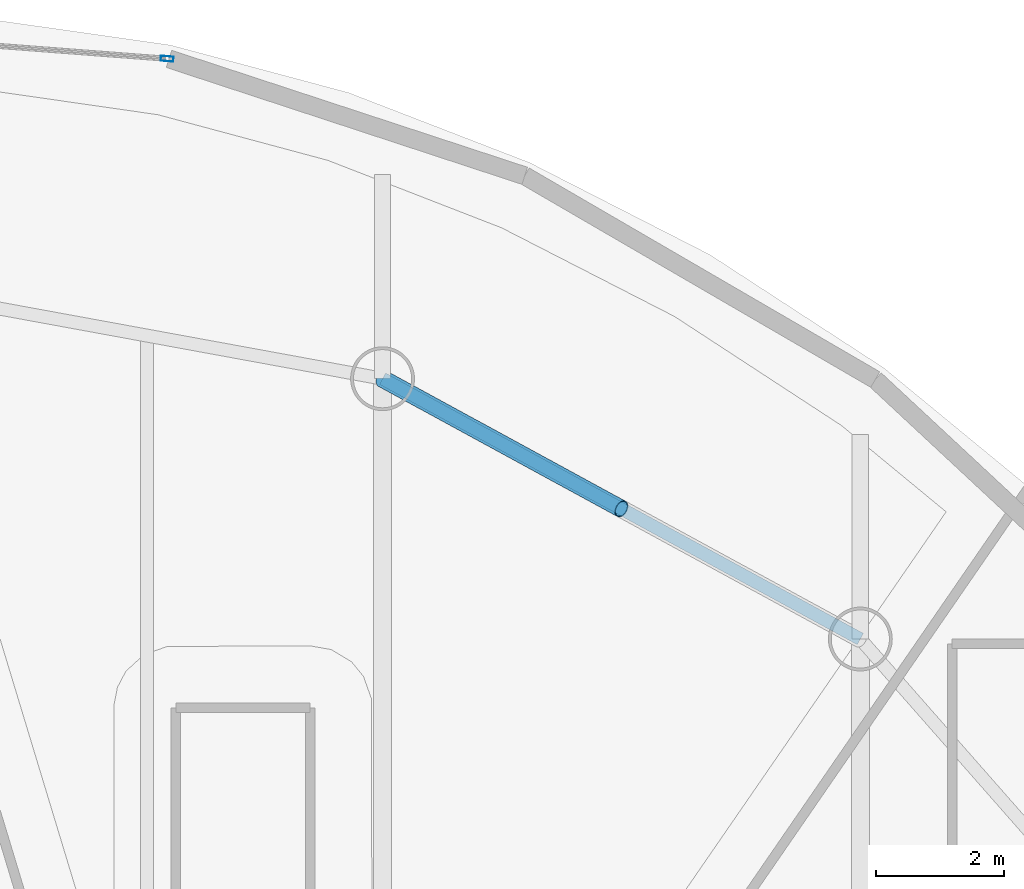
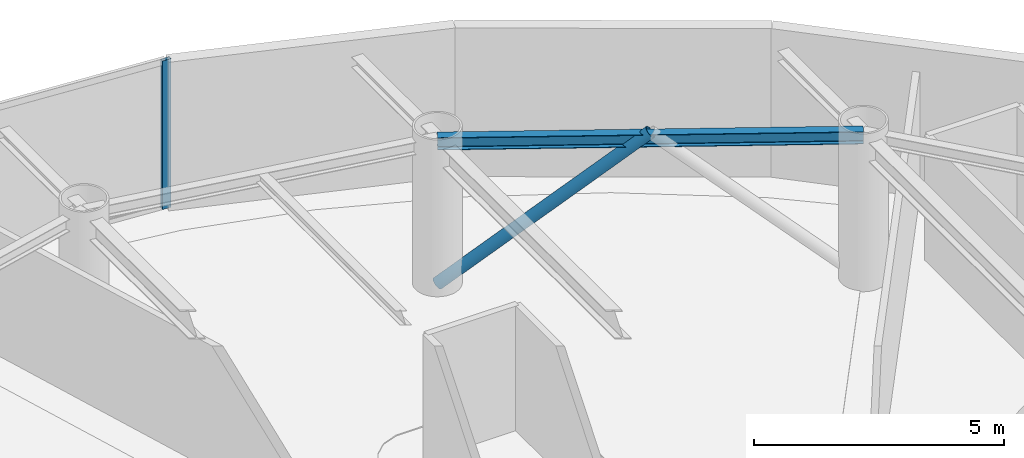
# One storey, part 14 of 23: 2 members, 1 beam, 1 element without a shape of its own.
"""IFC4 building model written with IfcOpenShell, lengths in metres."""

from ifc_helpers import new_model, si_unit, direction, frame, origin, origin_2d, place, context, subcontext, project, spatial, hollow_rectangle, hollow_circle, i_section, extrude, material, layer, layer_set, material_profile, profile_set, type_object, element, aggregate, save


model = new_model("IFC4")

# Units and contexts
model_context = context("Model", 3, precision=1e-05, world=origin(), true_north=direction((0.0, 1.0)))
body_context = subcontext(model_context, "Body", "Model", "MODEL_VIEW")
ifc_project = project(units=[si_unit("LENGTHUNIT", "METRE"), si_unit("AREAUNIT", "SQUARE_METRE"), si_unit("VOLUMEUNIT", "CUBIC_METRE"), si_unit("PLANEANGLEUNIT", "RADIAN"), si_unit("MASSUNIT", "GRAM", prefix="KILO")], contexts=[model_context])

# Site, building, storey
site_placement = place(None, origin())
site = spatial("IfcSite", under=ifc_project, at=site_placement, CompositionType="ELEMENT")
building_placement = place(site_placement, origin())
building = spatial("IfcBuilding", under=site, at=building_placement, Name="Bramvorn Convention Spire", CompositionType="ELEMENT")
storey_placement = place(building_placement, frame((0.0, 0.0, 295.949951171875)))
storey = spatial("IfcBuildingStorey", under=building, at=storey_placement, Name="L75", CompositionType="ELEMENT", Elevation=295.949951171875)

# Beam
ifc_material_1 = material(Name="Steel CSA G40.21 Grade 350 (350W)", Category="steel")
ifc_material_profile_1 = material_profile(ifc_material_1, i_section(OverallWidth=0.202880859375, OverallDepth=0.302978515625, WebThickness=0.007568359375, FlangeThickness=0.01318359375, FilletRadius=0.013916015625, at=origin_2d()))
ifc_profile_set_1 = profile_set([ifc_material_profile_1], Name="Steel CSA G40.21 Grade 350 (350W) - W310X60")
beam_type = type_object("IfcBeamType", Name="BM-W310X60", PredefinedType="JOIST", material=ifc_profile_set_1)
beam_placement = place(storey_placement, frame((47.662353515625, 41.476806640625, 3.4736328125), z_axis=(-0.878133224771, 0.478416178189, 0.0), x_axis=(-0.478416178189, -0.878133224771, 0.0)))
element("IfcBeam", 1, at=beam_placement, inside=storey, type_object=beam_type, Name="L75 mega-column ring beam 06", PredefinedType="JOIST", context=body_context, shape_type="SweptSolid", body=[
    extrude(i_section(OverallWidth=0.202880859375, OverallDepth=0.302978515625, WebThickness=0.007568359375, FlangeThickness=0.01318359375, FilletRadius=0.013916015625, at=origin_2d()), origin(), (0.0, 0.0, 1.0), 8.515625),
])

# Curtain wall, member
ifc_material_2 = material(Name="Anodised Bronze Unitised Curtain Wall", Category="aluminium")
ifc_layer = layer(ifc_material_2, 0.179931640625)
ifc_layer_set = layer_set([ifc_layer], Name="Anodised Bronze Unitised Curtain Wall - CW-OFF-FRIT")
curtain_wall_type = type_object("IfcCurtainWallType", Name="CW-OFF-FRIT", PredefinedType="USERDEFINED", material=ifc_layer_set)
curtain_wall_placement = place(storey_placement, origin())
curtain_wall = element("IfcCurtainWall", 2, at=curtain_wall_placement, inside=storey, type_object=curtain_wall_type, Name="L75 fritted glass curtain wall 11", ObjectType="UNITISED CURTAIN WALL", PredefinedType="USERDEFINED")
ifc_material_3 = material(Name="Anodised Bronze Aluminium 6063-T6", Category="aluminium")
ifc_material_profile_2 = material_profile(ifc_material_3, hollow_rectangle(XDim=0.080078125, YDim=0.199951171875, WallThickness=0.00390625, InnerFilletRadius=0.0009765625, OuterFilletRadius=0.00390625, at=origin_2d()))
ifc_profile_set_2 = profile_set([ifc_material_profile_2], Name="Anodised Bronze Aluminium 6063-T6 - CWM80X200")
member_type_1 = type_object("IfcMemberType", Name="CW-MUL-180", PredefinedType="MULLION", material=ifc_profile_set_2)
member_1_placement = place(storey_placement, frame((36.812744140625, 50.558837890625, 0.0), z_axis=(0.0, 0.0, 1.0), x_axis=(0.075939028641, 0.99711246303, 0.0)))
member_1 = element("IfcMember", 3, at=member_1_placement, type_object=member_type_1, Name="CW3 mullion 2", PredefinedType="MULLION", context=body_context, shape_type="SweptSolid", body=[
    extrude(hollow_rectangle(XDim=0.080078125, YDim=0.199951171875, WallThickness=0.00390625, InnerFilletRadius=0.0009765625, OuterFilletRadius=0.00390625, at=origin_2d()), origin(), (0.0, 0.0, 1.0), 3.625),
])
aggregate(curtain_wall, [member_1])

# Member
ifc_material_profile_3 = material_profile(ifc_material_1, hollow_circle(Radius=0.136474609375, WallThickness=0.0126953125, at=origin_2d()))
ifc_profile_set_3 = profile_set([ifc_material_profile_3], Name="Steel CSA G40.21 Grade 350 (350W) - CHS273X13")
member_type_2 = type_object("IfcMemberType", Name="MBR-CHS273X13", PredefinedType="BRACE", material=ifc_profile_set_3)
member_2_placement = place(storey_placement, frame((40.1845703125, 45.55078125, 0.0), z_axis=(0.668620574392, -0.364261554927, 0.64827466949), x_axis=(0.478406114461, 0.878138707521, 0.0)))
element("IfcMember", 4, at=member_2_placement, inside=storey, type_object=member_type_2, Name="L75 perimeter Gothic lancet brace 6B", PredefinedType="BRACE", context=body_context, shape_type="SweptSolid", body=[
    extrude(hollow_circle(Radius=0.136474609375, WallThickness=0.0126953125, at=origin_2d()), origin(), (0.0, 0.0, 1.0), 5.591796875),
])

save(model, "model.ifc")
